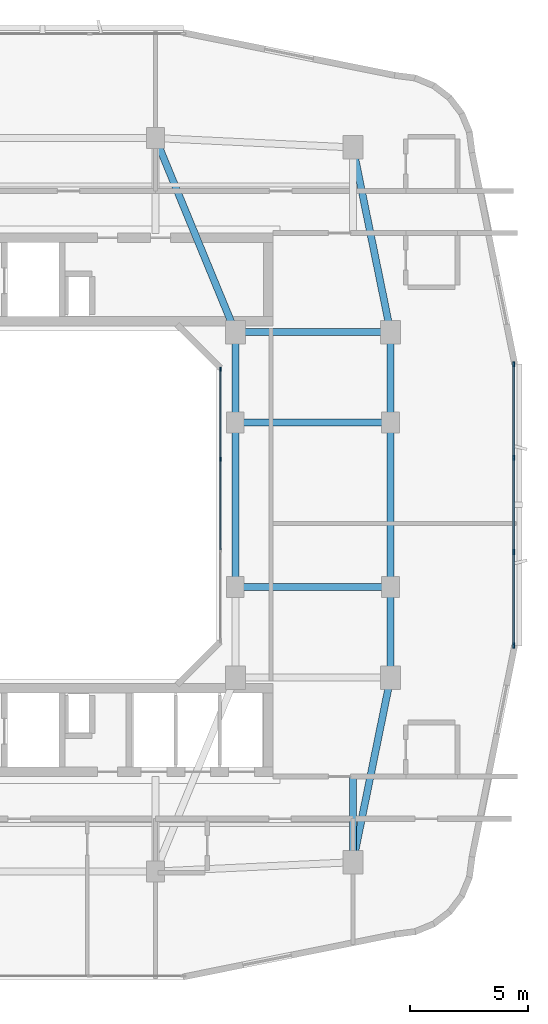
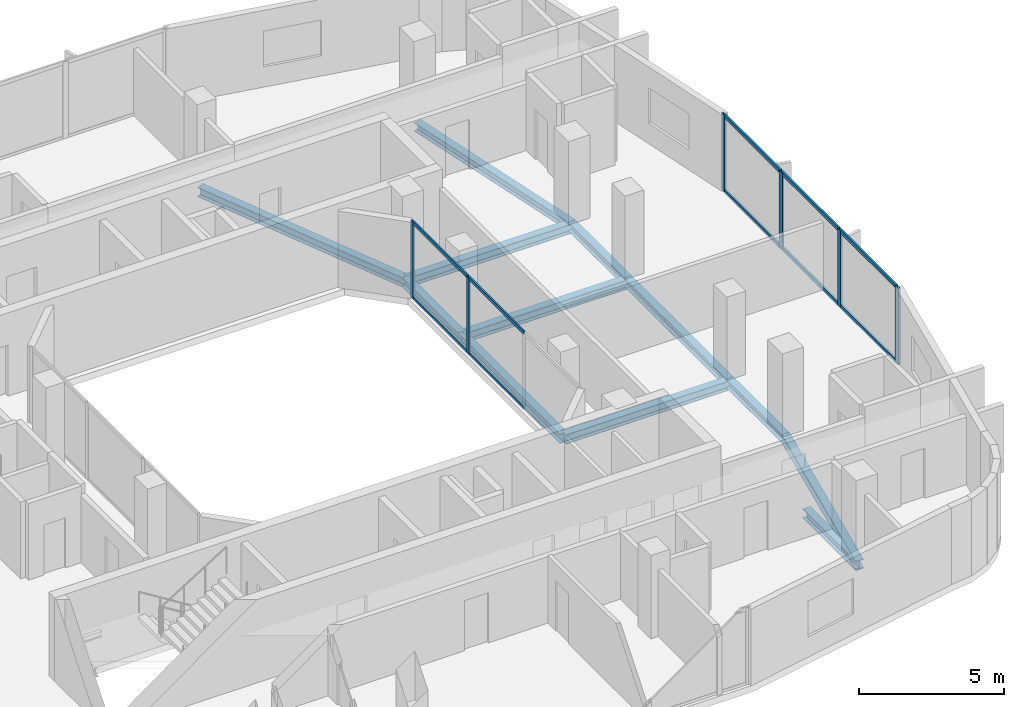
# One storey, part 4 of 14: 16 members, 12 beams, 2 elements without a shape of their own.
"""IFC4 building model written with IfcOpenShell, lengths in metres."""

import ifcopenshell
import ifcopenshell.guid

model = None  # the IFC model being written
_history = None  # IfcOwnerHistory: only IFC2X3 demands one
_inside = {}  # id of a spatial element -> (the spatial element, [elements in it])
_under = {}  # id of a project, library or spatial element -> (it, [spatial elements below it])
_declared = {}  # id of a project -> (the project, [libraries it declares])
_typed = {}  # id of a type object -> (the type object, [elements of that type])
_made_of = {}  # id of a material, layer set ... -> (it, [elements and type objects made of it])


def new_model(schema):
    """Start an empty IFC model of exactly this schema.

    Asked for "IFC4X3", IfcOpenShell would pick the latest addendum, in which some entities
    have other attributes; the version numbers below select the first issue.
    IFC2X3 requires an IfcOwnerHistory on every rooted entity: one is made here for all.
    """
    global model, _history
    if schema == "IFC4X3":
        model = ifcopenshell.file(schema_version=(4, 3, 0, 0))
    else:
        model = ifcopenshell.file(schema=schema)
    _inside.clear()
    _under.clear()
    _declared.clear()
    _typed.clear()
    _made_of.clear()
    _history = None
    if model.schema == "IFC2X3":
        org = make("IfcOrganization", Name="unknown")
        user = make(
            "IfcPersonAndOrganization",
            ThePerson=make("IfcPerson", FamilyName="unknown"),
            TheOrganization=org,
        )
        app = make(
            "IfcApplication",
            ApplicationDeveloper=org,
            Version="unknown",
            ApplicationFullName="unknown",
            ApplicationIdentifier="unknown",
        )
        _history = make(
            "IfcOwnerHistory",
            OwningUser=user,
            OwningApplication=app,
            ChangeAction="ADDED",
            CreationDate=0,
        )
    return model


def make(cls, **values):
    """One entity of the class cls with the attributes given. An attribute that is None is left unset."""
    return model.create_entity(
        cls, **{name: value for name, value in values.items() if value is not None}
    )


def rooted(cls, **values):
    """An entity with a GlobalId (a new one), such as an element, a storey or a relation."""
    return make(cls, GlobalId=ifcopenshell.guid.new(), OwnerHistory=_history, **values)


def si_unit(unit_type, name, prefix=None):
    """IfcSIUnit, for example si_unit("LENGTHUNIT", "METRE", prefix="MILLI")."""
    return make("IfcSIUnit", UnitType=unit_type, Prefix=prefix, Name=name)


def derived_unit(unit_type, elements):
    """IfcDerivedUnit: a product of units, each with its exponent."""
    return make(
        "IfcDerivedUnit",
        Elements=[
            make("IfcDerivedUnitElement", Unit=unit, Exponent=power)
            for unit, power in elements
        ],
        UnitType=unit_type,
    )


def assignment(units):
    """IfcUnitAssignment: the units of a project."""
    return None if units is None else make("IfcUnitAssignment", Units=units)


def point(xyz):
    """IfcCartesianPoint."""
    return None if xyz is None else make("IfcCartesianPoint", Coordinates=xyz)


def direction(xyz):
    """IfcDirection."""
    return None if xyz is None else make("IfcDirection", DirectionRatios=xyz)


def frame(location, z_axis=None, x_axis=None):
    """IfcAxis2Placement3D, a coordinate frame: its origin and axes. An axis left out is left unset."""
    return make(
        "IfcAxis2Placement3D",
        Location=point(location),
        Axis=direction(z_axis),
        RefDirection=direction(x_axis),
    )


def frame_2d(location, x_axis=None):
    """IfcAxis2Placement2D, a coordinate frame in the plane: its origin and x axis."""
    return make(
        "IfcAxis2Placement2D", Location=point(location), RefDirection=direction(x_axis)
    )


def origin():
    """The frame at (0, 0, 0) with its axes left unset."""
    return frame((0.0, 0.0, 0.0))


def origin_2d():
    """The frame at (0, 0) in the plane with its x axis left unset."""
    return frame_2d((0.0, 0.0))


def place(relative_to, where):
    """IfcLocalPlacement: puts the frame where relative to a parent placement (None: the world)."""
    return make(
        "IfcLocalPlacement", PlacementRelTo=relative_to, RelativePlacement=where
    )


def context(
    kind, dimensions, precision=None, world=None, true_north=None, identifier=None
):
    """IfcGeometricRepresentationContext, for example the 3D "Model" context."""
    return make(
        "IfcGeometricRepresentationContext",
        ContextIdentifier=identifier,
        ContextType=kind,
        CoordinateSpaceDimension=dimensions,
        Precision=precision,
        WorldCoordinateSystem=world,
        TrueNorth=true_north,
    )


def subcontext(parent, identifier, kind, view, scale=None):
    """IfcGeometricRepresentationSubContext, for example "Body" below "Model"."""
    return make(
        "IfcGeometricRepresentationSubContext",
        ContextIdentifier=identifier,
        ContextType=kind,
        ParentContext=parent,
        TargetScale=scale,
        TargetView=view,
    )


def project(units=None, contexts=None):
    """IfcProject with its units and contexts."""
    return rooted(
        "IfcProject",
        Name="project",
        RepresentationContexts=contexts,
        UnitsInContext=assignment(units),
    )


def spatial(cls, under=None, at=None, **own):
    """A site, building, storey or space (cls), placed at a placement, below another one or the project."""
    s = rooted(cls, ObjectPlacement=at, **own)
    if under is not None:
        _under.setdefault(under.id(), (under, []))[1].append(s)
    return s


def profile(cls, at=None, kind="AREA", **sizes):
    """A parametric profile (cls). Its sizes go by their IFC names, for example OverallWidth=200.0."""
    return make(cls, ProfileType=kind, Position=at, **sizes)


def rectangle(**sizes):
    """IfcRectangleProfileDef."""
    return profile("IfcRectangleProfileDef", **sizes)


def i_section(**sizes):
    """IfcIShapeProfileDef."""
    return profile("IfcIShapeProfileDef", **sizes)


def extrude(swept, where, along, depth):
    """IfcExtrudedAreaSolid: the profile swept, set in the frame where, extruded along a direction by depth."""
    return make(
        "IfcExtrudedAreaSolid",
        SweptArea=swept,
        Position=where,
        ExtrudedDirection=direction(along),
        Depth=depth,
    )


def shape(context_of_items, identifier, shape_type, items):
    """IfcShapeRepresentation: the items that make up one representation, for example the "Body"."""
    return make(
        "IfcShapeRepresentation",
        ContextOfItems=context_of_items,
        RepresentationIdentifier=identifier,
        RepresentationType=shape_type,
        Items=items,
    )


def material(Name=None, Category=None):
    """IfcMaterial."""
    return make("IfcMaterial", Name=Name, Category=Category)


def layer(
    of_material, thickness, ventilated=None, Name=None, Category=None, Priority=None
):
    """IfcMaterialLayer: one layer of a wall or slab, of a material (None: an air gap)."""
    return make(
        "IfcMaterialLayer",
        Material=of_material,
        LayerThickness=thickness,
        IsVentilated=ventilated,
        Name=Name,
        Category=Category,
        Priority=Priority,
    )


def layer_set(layers, Name=None):
    """IfcMaterialLayerSet."""
    return make("IfcMaterialLayerSet", MaterialLayers=layers, LayerSetName=Name)


def material_profile(
    of_material, cross_section, Name=None, Category=None, Priority=None
):
    """IfcMaterialProfile: a cross section and its material."""
    return make(
        "IfcMaterialProfile",
        Name=Name,
        Material=of_material,
        Profile=cross_section,
        Priority=Priority,
        Category=Category,
    )


def profile_set(profiles, Name=None, composite=None):
    """IfcMaterialProfileSet."""
    return make(
        "IfcMaterialProfileSet",
        Name=Name,
        MaterialProfiles=profiles,
        CompositeProfile=composite,
    )


def made_of(thing, what):
    """Note that an element or type object is made of a material, layer set ...; save() writes the relation."""
    if what is not None:
        _made_of.setdefault(what.id(), (what, []))[1].append(thing)
    return thing


def type_object(cls, material=None, **own):
    """A type object (cls), such as IfcWallType, which elements share."""
    return made_of(rooted(cls, **own), material)


def element(
    cls,
    number,
    at=None,
    inside=None,
    cuts=None,
    type_object=None,
    material=None,
    context=None,
    identifier="Body",
    shape_type=None,
    held_by="IfcProductDefinitionShape",
    body=None,
    shapes=None,
    **own,
):
    """One element of the class cls, such as IfcWall. Its Tag is "e" and its number.

    at: its placement. inside: the storey or other place that contains it. cuts: it is an
    opening in that element (IfcRelVoidsElement). A single representation is given by context,
    identifier, shape_type and body (its items); several are given by shapes. held_by: the class
    of the entity that holds the representations. save() writes the other relations.
    """
    e = rooted(cls, Tag="e%d" % number, ObjectPlacement=at, **own)
    if body is not None:
        shapes = [shape(context, identifier, shape_type, body)]
    if shapes is not None:
        e.Representation = make(held_by, Representations=shapes)
    if inside is not None:
        _inside.setdefault(inside.id(), (inside, []))[1].append(e)
    if cuts is not None:
        rooted(
            "IfcRelVoidsElement", RelatingBuildingElement=cuts, RelatedOpeningElement=e
        )
    if type_object is not None:
        _typed.setdefault(type_object.id(), (type_object, []))[1].append(e)
    return made_of(e, material)


def aggregate(whole, parts):
    """IfcRelAggregates: a whole, such as a stair, and the parts it consists of."""
    return rooted("IfcRelAggregates", RelatingObject=whole, RelatedObjects=parts)


def save(model, path):
    """Write the relations noted so far, then the file.

    IfcRelAggregates (storeys below a building ...), IfcRelContainedInSpatialStructure (elements
    in a storey), IfcRelDefinesByType, IfcRelAssociatesMaterial and IfcRelDeclares: one each for
    every whole, place, type object, material and project.
    """
    for whole, parts in _under.values():
        aggregate(whole, parts)
    for where, things in _inside.values():
        rooted(
            "IfcRelContainedInSpatialStructure",
            RelatedElements=things,
            RelatingStructure=where,
        )
    for kind, things in _typed.values():
        rooted("IfcRelDefinesByType", RelatedObjects=things, RelatingType=kind)
    for what, things in _made_of.values():
        rooted("IfcRelAssociatesMaterial", RelatedObjects=things, RelatingMaterial=what)
    for by, libraries in _declared.values():
        rooted("IfcRelDeclares", RelatingContext=by, RelatedDefinitions=libraries)
    model.write(path)


model = new_model("IFC4")

# Units and contexts
model_context = context("Model", 3, precision=1e-05, world=origin(), true_north=direction((0.0, 1.0)))
body_context = subcontext(model_context, "Body", "Model", "MODEL_VIEW")
ifc_project = project(units=[si_unit("LENGTHUNIT", "METRE"), si_unit("AREAUNIT", "SQUARE_METRE"), si_unit("VOLUMEUNIT", "CUBIC_METRE"), si_unit("PLANEANGLEUNIT", "RADIAN"), si_unit("MASSUNIT", "GRAM", prefix="KILO"), derived_unit("THERMALTRANSMITTANCEUNIT", [(si_unit("POWERUNIT", "WATT"), 1), (si_unit("LENGTHUNIT", "METRE"), -2), (si_unit("THERMODYNAMICTEMPERATUREUNIT", "KELVIN"), -1)])], contexts=[model_context])

# Site, building, storey
site_placement = place(None, origin())
site = spatial("IfcSite", under=ifc_project, at=site_placement, CompositionType="ELEMENT")
building_placement = place(site_placement, origin())
building = spatial("IfcBuilding", under=site, at=building_placement, Name="Kivonza Crest Hotel", CompositionType="ELEMENT")
storey_placement = place(building_placement, frame((0.0, 0.0, 162.5)))
storey = spatial("IfcBuildingStorey", under=building, at=storey_placement, Name="L44", CompositionType="ELEMENT", Elevation=162.5)

# Beams
ifc_material_1 = material(Name="Steel S355", Category="steel")
ifc_material_profile_1 = material_profile(ifc_material_1, i_section(OverallWidth=0.300048828125, OverallDepth=0.360107421875, WebThickness=0.012451171875, FlangeThickness=0.0224609375, FilletRadius=0.027099609375, at=origin_2d()), Name="HEB 360")
ifc_profile_set_1 = profile_set([ifc_material_profile_1], Name="Steel S355")
beam_type_1 = type_object("IfcBeamType", Name="BM-HEB360", PredefinedType="SPANDREL", material=ifc_profile_set_1)
beam_1_placement = place(storey_placement, frame((34.199951171875, 9.800048828125, -0.4599609375), z_axis=(0.199730733965, 0.979850822273, 0.0), x_axis=(-0.979850822273, 0.199730733965, 0.0)))
element("IfcBeam", 1, at=beam_1_placement, inside=storey, type_object=beam_type_1, Name="Tower T1 L44 perimeter spandrel SE-PSE", PredefinedType="SPANDREL", context=body_context, shape_type="SweptSolid", body=[
    extrude(i_section(OverallWidth=0.300048828125, OverallDepth=0.360107421875, WebThickness=0.012451171875, FlangeThickness=0.0224609375, FilletRadius=0.027099609375, at=origin_2d()), origin(), (0.0, 0.0, 1.0), 8.01123046875),
])
beam_2_placement = place(storey_placement, frame((35.800048828125, 17.64990234375, -0.4599609375), z_axis=(0.0, 1.0, 0.0), x_axis=(-1.0, 0.0, 0.0)))
element("IfcBeam", 2, at=beam_2_placement, inside=storey, type_object=beam_type_1, Name="Tower T1 L44 perimeter spandrel PSE-E1", PredefinedType="SPANDREL", context=body_context, shape_type="SweptSolid", body=[
    extrude(i_section(OverallWidth=0.300048828125, OverallDepth=0.360107421875, WebThickness=0.012451171875, FlangeThickness=0.0224609375, FilletRadius=0.027099609375, at=origin_2d()), origin(), (0.0, 0.0, 1.0), 3.85009765625),
])
beam_3_placement = place(storey_placement, frame((35.800048828125, 21.5, -0.4599609375), z_axis=(0.0, 1.0, 0.0), x_axis=(-1.0, 0.0, 0.0)))
element("IfcBeam", 3, at=beam_3_placement, inside=storey, type_object=beam_type_1, Name="Tower T1 L44 perimeter spandrel E1-E2", PredefinedType="SPANDREL", context=body_context, shape_type="SweptSolid", body=[
    extrude(i_section(OverallWidth=0.300048828125, OverallDepth=0.360107421875, WebThickness=0.012451171875, FlangeThickness=0.0224609375, FilletRadius=0.027099609375, at=origin_2d()), origin(), (0.0, 0.0, 1.0), 7.0),
])
beam_4_placement = place(storey_placement, frame((35.800048828125, 28.5, -0.4599609375), z_axis=(0.0, 1.0, 0.0), x_axis=(-1.0, 0.0, 0.0)))
element("IfcBeam", 4, at=beam_4_placement, inside=storey, type_object=beam_type_1, Name="Tower T1 L44 perimeter spandrel E2-PNE", PredefinedType="SPANDREL", context=body_context, shape_type="SweptSolid", body=[
    extrude(i_section(OverallWidth=0.300048828125, OverallDepth=0.360107421875, WebThickness=0.012451171875, FlangeThickness=0.0224609375, FilletRadius=0.027099609375, at=origin_2d()), origin(), (0.0, 0.0, 1.0), 3.85009765625),
])
beam_5_placement = place(storey_placement, frame((35.800048828125, 32.35009765625, -0.4599609375), z_axis=(-0.199730733965, 0.979850822273, 0.0), x_axis=(-0.979850822273, -0.199730733965, 0.0)))
element("IfcBeam", 5, at=beam_5_placement, inside=storey, type_object=beam_type_1, Name="Tower T1 L44 perimeter spandrel PNE-NE", PredefinedType="SPANDREL", context=body_context, shape_type="SweptSolid", body=[
    extrude(i_section(OverallWidth=0.300048828125, OverallDepth=0.360107421875, WebThickness=0.012451171875, FlangeThickness=0.0224609375, FilletRadius=0.027099609375, at=origin_2d()), origin(), (0.0, 0.0, 1.0), 8.01123046875),
])
ifc_material_profile_2 = material_profile(ifc_material_1, i_section(OverallWidth=0.300048828125, OverallDepth=0.39990234375, WebThickness=0.013427734375, FlangeThickness=0.02392578125, FilletRadius=0.027099609375, at=origin_2d()), Name="HEB 400")
ifc_profile_set_2 = profile_set([ifc_material_profile_2], Name="Steel S355")
beam_type_2 = type_object("IfcBeamType", Name="BM-HEB400", PredefinedType="BEAM", material=ifc_profile_set_2)
beam_6_placement = place(storey_placement, frame((25.800048828125, 40.60009765625, -0.47998046875), z_axis=(0.381022260404, -0.924565864109, 0.0), x_axis=(0.924565864109, 0.381022260404, 0.0)))
element("IfcBeam", 6, at=beam_6_placement, inside=storey, type_object=beam_type_2, Name="Tower T1 L44 primary girder N1-TNE", PredefinedType="BEAM", context=body_context, shape_type="SweptSolid", body=[
    extrude(i_section(OverallWidth=0.300048828125, OverallDepth=0.39990234375, WebThickness=0.013427734375, FlangeThickness=0.02392578125, FilletRadius=0.027099609375, at=origin_2d()), origin(), (0.0, 0.0, 1.0), 8.923095703125),
])
beam_7_placement = place(storey_placement, frame((29.199951171875, 32.35009765625, -0.47998046875), z_axis=(1.0, 0.0, 0.0), x_axis=(0.0, 1.0, 0.0)))
element("IfcBeam", 7, at=beam_7_placement, inside=storey, type_object=beam_type_2, Name="Tower T1 L44 primary girder TNE-PNE", PredefinedType="BEAM", context=body_context, shape_type="SweptSolid", body=[
    extrude(i_section(OverallWidth=0.300048828125, OverallDepth=0.39990234375, WebThickness=0.013427734375, FlangeThickness=0.02392578125, FilletRadius=0.027099609375, at=origin_2d()), origin(), (0.0, 0.0, 1.0), 6.60009765625),
])
beam_8_placement = place(storey_placement, frame((29.199951171875, 21.5, -0.47998046875), z_axis=(0.0, 1.0, 0.0), x_axis=(-1.0, 0.0, 0.0)))
element("IfcBeam", 8, at=beam_8_placement, inside=storey, type_object=beam_type_2, Name="Tower T1 L44 primary girder WR1-WR2", PredefinedType="BEAM", context=body_context, shape_type="SweptSolid", body=[
    extrude(i_section(OverallWidth=0.300048828125, OverallDepth=0.39990234375, WebThickness=0.013427734375, FlangeThickness=0.02392578125, FilletRadius=0.027099609375, at=origin_2d()), origin(), (0.0, 0.0, 1.0), 7.0),
])
beam_9_placement = place(storey_placement, frame((29.199951171875, 28.5, -0.47998046875), z_axis=(0.0, 1.0, 0.0), x_axis=(-1.0, 0.0, 0.0)))
element("IfcBeam", 9, at=beam_9_placement, inside=storey, type_object=beam_type_2, Name="Tower T1 L44 primary girder WR2-TNE", PredefinedType="BEAM", context=body_context, shape_type="SweptSolid", body=[
    extrude(i_section(OverallWidth=0.300048828125, OverallDepth=0.39990234375, WebThickness=0.013427734375, FlangeThickness=0.02392578125, FilletRadius=0.027099609375, at=origin_2d()), origin(), (0.0, 0.0, 1.0), 3.85009765625),
])
for number, where, z_axis, x_axis, name in (
    (10, (29.199951171875, 21.5, -0.47998046875), (1.0, 0.0, 0.0), (0.0, 1.0, 0.0), "Tower T1 L44 primary girder WR1-E1"),
    (11, (29.199951171875, 28.5, -0.47998046875), (1.0, 0.0, 0.0), (0.0, 1.0, 0.0), "Tower T1 L44 primary girder WR2-E2"),
):
    element("IfcBeam", number, at=place(storey_placement, frame(where, z_axis=z_axis, x_axis=x_axis)), inside=storey, type_object=beam_type_2, Name=name, PredefinedType="BEAM", context=body_context, shape_type="SweptSolid", body=[
        extrude(i_section(OverallWidth=0.300048828125, OverallDepth=0.39990234375, WebThickness=0.013427734375, FlangeThickness=0.02392578125, FilletRadius=0.027099609375, at=origin_2d()), origin(), (0.0, 0.0, 1.0), 6.60009765625),
    ])
beam_10_placement = place(storey_placement, frame((34.199951171875, 9.800048828125, -0.47998046875), z_axis=(0.0, 1.0, 0.0), x_axis=(-1.0, 0.0, 0.0)))
element("IfcBeam", 12, at=beam_10_placement, inside=storey, type_object=beam_type_2, Name="Tower T1 L44 radial core girder RSE", PredefinedType="BEAM", context=body_context, shape_type="SweptSolid", body=[
    extrude(i_section(OverallWidth=0.300048828125, OverallDepth=0.39990234375, WebThickness=0.013427734375, FlangeThickness=0.02392578125, FilletRadius=0.027099609375, at=origin_2d()), origin(), (0.0, 0.0, 1.0), 3.64990234375),
])

# Curtain wall, members
ifc_material_2 = material(Name="Anodised bronze aluminium and low-E double glazing", Category="aluminium")
ifc_layer_1 = layer(ifc_material_2, 0.159912109375)
ifc_layer_set_1 = layer_set([ifc_layer_1], Name="Anodised bronze aluminium and low-E double glazing")
curtain_wall_type_1 = type_object("IfcCurtainWallType", Name="CW-SYS-5", PredefinedType="NOTDEFINED", material=ifc_layer_set_1)
curtain_wall_1_placement = place(storey_placement, origin())
curtain_wall_1 = element("IfcCurtainWall", 13, at=curtain_wall_1_placement, inside=storey, type_object=curtain_wall_type_1, Name="L44 unitised curtain wall CW-WELL-T1-L44-3", PredefinedType="NOTDEFINED")
ifc_material_3 = material(Name="Anodised bronze aluminium", Category="aluminium")
ifc_material_profile_3 = material_profile(ifc_material_3, rectangle(XDim=0.06494140625, YDim=0.179931640625, at=origin_2d()), Name="CW-M 65x180")
ifc_profile_set_3 = profile_set([ifc_material_profile_3], Name="Anodised bronze aluminium")
member_type_1 = type_object("IfcMemberType", Name="CW-MUL-65x180", PredefinedType="MULLION", material=ifc_profile_set_3)
member_1_placement = place(storey_placement, frame((28.56005859375, 26.933349609375, 0.0), z_axis=(0.0, 0.0, 1.0), x_axis=(-1.0, 0.0, 0.0)))
member_1 = element("IfcMember", 14, at=member_1_placement, type_object=member_type_1, Name="CW-5 mullion 3", PredefinedType="MULLION", context=body_context, shape_type="SweptSolid", body=[
    extrude(rectangle(XDim=0.06494140625, YDim=0.179931640625, at=origin_2d()), origin(), (0.0, 0.0, 1.0), 3.219970703125),
])
member_2_placement = place(storey_placement, frame((28.56005859375, 30.767578125, 0.0), z_axis=(0.0, 0.0, 1.0), x_axis=(-1.0, 0.0, 0.0)))
member_2 = element("IfcMember", 15, at=member_2_placement, type_object=member_type_1, Name="CW-5 mullion 4", PredefinedType="MULLION", context=body_context, shape_type="SweptSolid", body=[
    extrude(rectangle(XDim=0.06494140625, YDim=0.179931640625, at=origin_2d()), origin(), (0.0, 0.0, 1.0), 3.219970703125),
])

ifc_layer_2 = layer(ifc_material_2, 0.179931640625)
ifc_layer_set_2 = layer_set([ifc_layer_2], Name="Anodised bronze aluminium and low-E double glazing")
curtain_wall_type_2 = type_object("IfcCurtainWallType", Name="CW-SYS-3", PredefinedType="NOTDEFINED", material=ifc_layer_set_2)
curtain_wall_2_placement = place(storey_placement, origin())
curtain_wall_2 = element("IfcCurtainWall", 16, at=curtain_wall_2_placement, inside=storey, type_object=curtain_wall_type_2, Name="L44 unitised curtain wall CW-T1-L44-17", PredefinedType="NOTDEFINED")
ifc_material_profile_4 = material_profile(ifc_material_3, rectangle(XDim=0.074951171875, YDim=0.219970703125, at=origin_2d()), Name="CW-M 75x220")
ifc_profile_set_4 = profile_set([ifc_material_profile_4], Name="Anodised bronze aluminium")
member_type_2 = type_object("IfcMemberType", Name="CW-MUL-75x220", PredefinedType="MULLION", material=ifc_profile_set_4)
member_3_placement = place(storey_placement, frame((41.0400390625, 19.017578125, 0.0), z_axis=(0.0, 0.0, 1.0), x_axis=(-1.0, 0.0, 0.0)))
member_3 = element("IfcMember", 17, at=member_3_placement, type_object=member_type_2, Name="CW-3 mullion 1", PredefinedType="MULLION", context=body_context, shape_type="SweptSolid", body=[
    extrude(rectangle(XDim=0.074951171875, YDim=0.219970703125, at=origin_2d()), origin(), (0.0, 0.0, 1.0), 3.219970703125),
])
member_4_placement = place(storey_placement, frame((41.0400390625, 22.993408203125, 0.0), z_axis=(0.0, 0.0, 1.0), x_axis=(-1.0, 0.0, 0.0)))
member_4 = element("IfcMember", 18, at=member_4_placement, type_object=member_type_2, Name="CW-3 mullion 2", PredefinedType="MULLION", context=body_context, shape_type="SweptSolid", body=[
    extrude(rectangle(XDim=0.074951171875, YDim=0.219970703125, at=origin_2d()), origin(), (0.0, 0.0, 1.0), 3.219970703125),
])
member_5_placement = place(storey_placement, frame((41.0400390625, 27.006591796875, 0.0), z_axis=(0.0, 0.0, 1.0), x_axis=(-1.0, 0.0, 0.0)))
member_5 = element("IfcMember", 19, at=member_5_placement, type_object=member_type_2, Name="CW-3 mullion 3", PredefinedType="MULLION", context=body_context, shape_type="SweptSolid", body=[
    extrude(rectangle(XDim=0.074951171875, YDim=0.219970703125, at=origin_2d()), origin(), (0.0, 0.0, 1.0), 3.219970703125),
])
member_6_placement = place(storey_placement, frame((41.0400390625, 30.982421875, 0.0), z_axis=(0.0, 0.0, 1.0), x_axis=(-1.0, 0.0, 0.0)))
member_6 = element("IfcMember", 20, at=member_6_placement, type_object=member_type_2, Name="CW-3 mullion 4", PredefinedType="MULLION", context=body_context, shape_type="SweptSolid", body=[
    extrude(rectangle(XDim=0.074951171875, YDim=0.219970703125, at=origin_2d()), origin(), (0.0, 0.0, 1.0), 3.219970703125),
])

# Member
ifc_material_profile_5 = material_profile(ifc_material_3, rectangle(XDim=0.06494140625, YDim=0.139892578125, at=origin_2d()), Name="CW-T 65x140")
ifc_profile_set_5 = profile_set([ifc_material_profile_5], Name="Anodised bronze aluminium")
member_type_3 = type_object("IfcMemberType", Name="CW-TRN-65x140", PredefinedType="USERDEFINED", material=ifc_profile_set_5)
member_7_placement = place(storey_placement, frame((28.56005859375, 23.09912109375, 0.032470703125), z_axis=(0.0, 1.0, 0.0), x_axis=(-1.0, 0.0, 0.0)))
member_7 = element("IfcMember", 21, at=member_7_placement, type_object=member_type_3, Name="CW-5 transom 2.1", ObjectType="TRANSOM", PredefinedType="USERDEFINED", context=body_context, shape_type="SweptSolid", body=[
    extrude(rectangle(XDim=0.06494140625, YDim=0.139892578125, at=origin_2d()), origin(), (0.0, 0.0, 1.0), 3.8017578125),
])

member_8_placement = place(storey_placement, frame((28.56005859375, 23.09912109375, 3.1875), z_axis=(0.0, 1.0, 0.0), x_axis=(-1.0, 0.0, 0.0)))
member_8 = element("IfcMember", 22, at=member_8_placement, type_object=member_type_3, Name="CW-5 transom 2.2", ObjectType="TRANSOM", PredefinedType="USERDEFINED", context=body_context, shape_type="SweptSolid", body=[
    extrude(rectangle(XDim=0.06494140625, YDim=0.139892578125, at=origin_2d()), origin(), (0.0, 0.0, 1.0), 3.8017578125),
])

member_9_placement = place(storey_placement, frame((28.56005859375, 26.9658203125, 0.032470703125), z_axis=(0.0, 1.0, 0.0), x_axis=(-1.0, 0.0, 0.0)))
member_9 = element("IfcMember", 23, at=member_9_placement, type_object=member_type_3, Name="CW-5 transom 3.1", ObjectType="TRANSOM", PredefinedType="USERDEFINED", context=body_context, shape_type="SweptSolid", body=[
    extrude(rectangle(XDim=0.06494140625, YDim=0.139892578125, at=origin_2d()), origin(), (0.0, 0.0, 1.0), 3.769287109375),
])

member_10_placement = place(storey_placement, frame((28.56005859375, 26.9658203125, 3.1875), z_axis=(0.0, 1.0, 0.0), x_axis=(-1.0, 0.0, 0.0)))
member_10 = element("IfcMember", 24, at=member_10_placement, type_object=member_type_3, Name="CW-5 transom 3.2", ObjectType="TRANSOM", PredefinedType="USERDEFINED", context=body_context, shape_type="SweptSolid", body=[
    extrude(rectangle(XDim=0.06494140625, YDim=0.139892578125, at=origin_2d()), origin(), (0.0, 0.0, 1.0), 3.769287109375),
])

aggregate(curtain_wall_1, [member_1, member_2, member_7, member_8, member_9, member_10])

ifc_material_profile_6 = material_profile(ifc_material_3, rectangle(XDim=0.074951171875, YDim=0.159912109375, at=origin_2d()), Name="CW-T 75x160")
ifc_profile_set_6 = profile_set([ifc_material_profile_6], Name="Anodised bronze aluminium")
member_type_4 = type_object("IfcMemberType", Name="CW-TRN-75x160", PredefinedType="USERDEFINED", material=ifc_profile_set_6)
member_11_placement = place(storey_placement, frame((41.0400390625, 19.054931640625, 0.03759765625), z_axis=(0.0, 1.0, 0.0), x_axis=(-1.0, 0.0, 0.0)))
member_11 = element("IfcMember", 25, at=member_11_placement, type_object=member_type_4, Name="CW-3 transom 1.1", ObjectType="TRANSOM", PredefinedType="USERDEFINED", context=body_context, shape_type="SweptSolid", body=[
    extrude(rectangle(XDim=0.074951171875, YDim=0.159912109375, at=origin_2d()), origin(), (0.0, 0.0, 1.0), 3.90087890625),
])

member_12_placement = place(storey_placement, frame((41.0400390625, 19.054931640625, 3.1826171875), z_axis=(0.0, 1.0, 0.0), x_axis=(-1.0, 0.0, 0.0)))
member_12 = element("IfcMember", 26, at=member_12_placement, type_object=member_type_4, Name="CW-3 transom 1.2", ObjectType="TRANSOM", PredefinedType="USERDEFINED", context=body_context, shape_type="SweptSolid", body=[
    extrude(rectangle(XDim=0.074951171875, YDim=0.159912109375, at=origin_2d()), origin(), (0.0, 0.0, 1.0), 3.90087890625),
])

member_13_placement = place(storey_placement, frame((41.0400390625, 23.03076171875, 0.03759765625), z_axis=(0.0, 1.0, 0.0), x_axis=(-1.0, 0.0, 0.0)))
member_13 = element("IfcMember", 27, at=member_13_placement, type_object=member_type_4, Name="CW-3 transom 2.1", ObjectType="TRANSOM", PredefinedType="USERDEFINED", context=body_context, shape_type="SweptSolid", body=[
    extrude(rectangle(XDim=0.074951171875, YDim=0.159912109375, at=origin_2d()), origin(), (0.0, 0.0, 1.0), 3.9384765625),
])

member_14_placement = place(storey_placement, frame((41.0400390625, 23.03076171875, 3.1826171875), z_axis=(0.0, 1.0, 0.0), x_axis=(-1.0, 0.0, 0.0)))
member_14 = element("IfcMember", 28, at=member_14_placement, type_object=member_type_4, Name="CW-3 transom 2.2", ObjectType="TRANSOM", PredefinedType="USERDEFINED", context=body_context, shape_type="SweptSolid", body=[
    extrude(rectangle(XDim=0.074951171875, YDim=0.159912109375, at=origin_2d()), origin(), (0.0, 0.0, 1.0), 3.9384765625),
])

member_15_placement = place(storey_placement, frame((41.0400390625, 27.044189453125, 0.03759765625), z_axis=(0.0, 1.0, 0.0), x_axis=(-1.0, 0.0, 0.0)))
member_15 = element("IfcMember", 29, at=member_15_placement, type_object=member_type_4, Name="CW-3 transom 3.1", ObjectType="TRANSOM", PredefinedType="USERDEFINED", context=body_context, shape_type="SweptSolid", body=[
    extrude(rectangle(XDim=0.074951171875, YDim=0.159912109375, at=origin_2d()), origin(), (0.0, 0.0, 1.0), 3.90087890625),
])

member_16_placement = place(storey_placement, frame((41.0400390625, 27.044189453125, 3.1826171875), z_axis=(0.0, 1.0, 0.0), x_axis=(-1.0, 0.0, 0.0)))
member_16 = element("IfcMember", 30, at=member_16_placement, type_object=member_type_4, Name="CW-3 transom 3.2", ObjectType="TRANSOM", PredefinedType="USERDEFINED", context=body_context, shape_type="SweptSolid", body=[
    extrude(rectangle(XDim=0.074951171875, YDim=0.159912109375, at=origin_2d()), origin(), (0.0, 0.0, 1.0), 3.90087890625),
])

aggregate(curtain_wall_2, [member_3, member_4, member_5, member_6, member_11, member_12, member_13, member_14, member_15, member_16])

save(model, "model.ifc")
